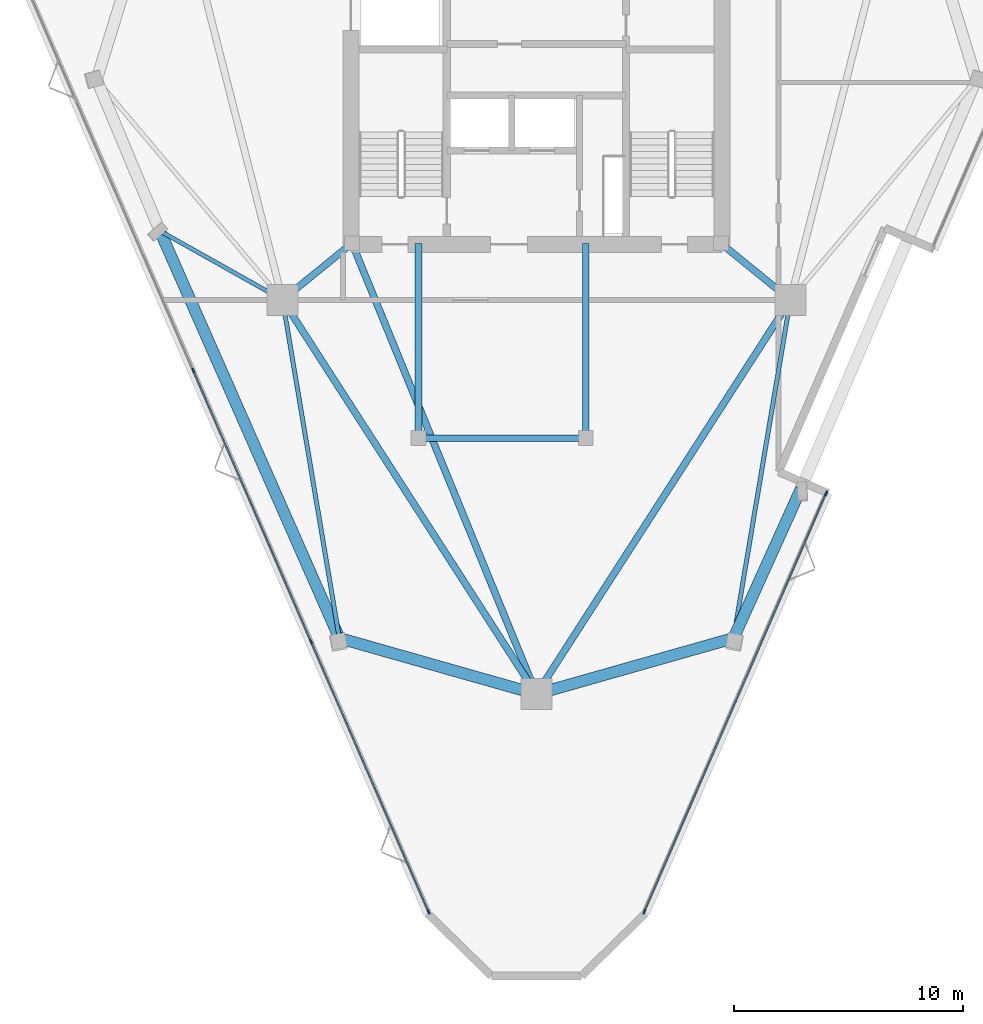
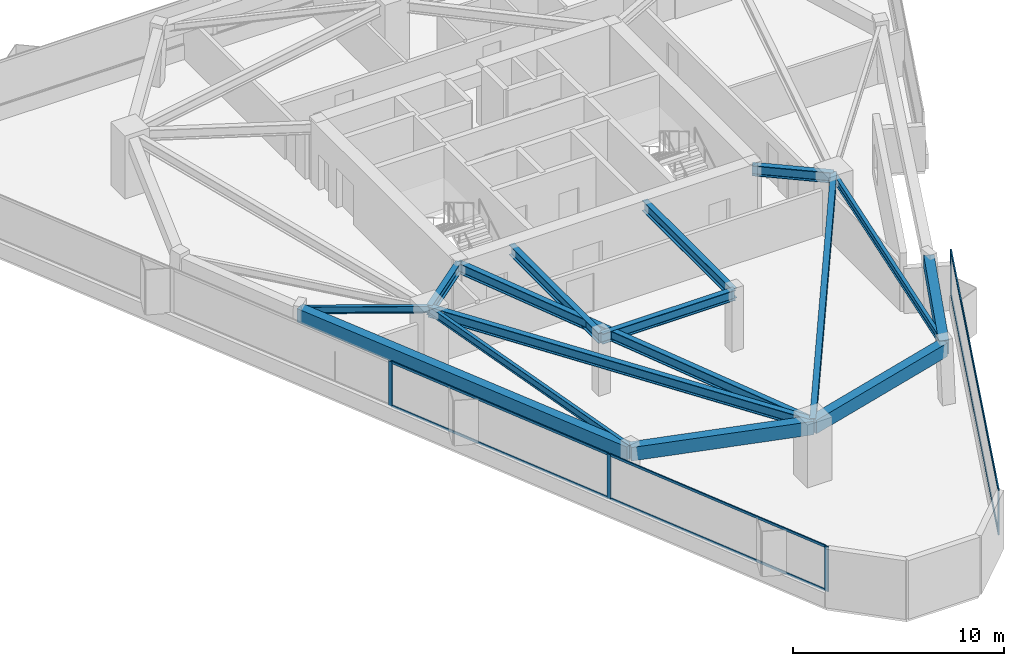
# One storey, part 2 of 10: 15 beams, 11 members, 2 elements without a shape of their own.
"""IFC4 building model written with IfcOpenShell, lengths in metres."""

from ifc_helpers import new_model, si_unit, direction, frame, origin, origin_2d, place, context, subcontext, project, spatial, rectangle, i_section, extrude, material, layer, layer_set, material_profile, profile_set, type_object, element, aggregate, save


model = new_model("IFC4")

# Units and contexts
model_context = context("Model", 3, precision=1e-05, world=origin(), true_north=direction((0.0, 1.0)))
body_context = subcontext(model_context, "Body", "Model", "MODEL_VIEW")
ifc_project = project(units=[si_unit("LENGTHUNIT", "METRE"), si_unit("AREAUNIT", "SQUARE_METRE"), si_unit("VOLUMEUNIT", "CUBIC_METRE"), si_unit("PLANEANGLEUNIT", "RADIAN"), si_unit("MASSUNIT", "GRAM", prefix="KILO")], contexts=[model_context])

# Site, building, storey
site_placement = place(None, origin())
site = spatial("IfcSite", under=ifc_project, at=site_placement, CompositionType="ELEMENT")
building_placement = place(site_placement, origin())
building = spatial("IfcBuilding", under=site, at=building_placement, Name="Talyreon Biosciences Tower", CompositionType="ELEMENT")
storey_placement = place(building_placement, frame((0.0, 0.0, 204.949951171875)))
storey = spatial("IfcBuildingStorey", under=building, at=storey_placement, Name="L54", CompositionType="ELEMENT", Elevation=204.949951171875)

# Curtain wall, members
ifc_material_1 = material(Name="Thermally broken aluminium and low-E glazing", Category="aluminium")
ifc_layer = layer(ifc_material_1, 0.205078125)
ifc_layer_set = layer_set([ifc_layer], Name="Thermally broken aluminium and low-E glazing")
curtain_wall_type = type_object("IfcCurtainWallType", Name="CurtainWall_SkyGardenLoggia", PredefinedType="NOTDEFINED", material=ifc_layer_set)
curtain_wall_1_placement = place(storey_placement, origin())
curtain_wall_1 = element("IfcCurtainWall", 1, at=curtain_wall_1_placement, inside=storey, type_object=curtain_wall_type, Name="L54 Unitised Curtain Wall FCW-L54-11", PredefinedType="NOTDEFINED")
ifc_material_2 = material(Name="Anodised thermally broken aluminium", Category="aluminium")
ifc_material_profile_1 = material_profile(ifc_material_2, rectangle(XDim=0.074951171875, YDim=0.2099609375, at=origin_2d()), Name="ALUM MULLION 75x210")
ifc_profile_set_1 = profile_set([ifc_material_profile_1], Name="Anodised thermally broken aluminium")
member_type_1 = type_object("IfcMemberType", Name="CWMullion_75x210", PredefinedType="MULLION", material=ifc_profile_set_1)
member_1_placement = place(storey_placement, frame((78.6513671875, 50.433349609375, 0.81005859375), z_axis=(0.0, 0.0, 1.0), x_axis=(0.917113940349, -0.3986251628, 0.0)))
member_1 = element("IfcMember", 2, at=member_1_placement, type_object=member_type_1, Name="CW7 mullion 1", PredefinedType="MULLION", context=body_context, shape_type="SweptSolid", body=[
    extrude(rectangle(XDim=0.074951171875, YDim=0.2099609375, at=origin_2d()), origin(), (0.0, 0.0, 1.0), 2.590087890625),
])
member_2_placement = place(storey_placement, frame((70.71044921875, 32.164306640625, 0.81005859375), z_axis=(0.0, 0.0, 1.0), x_axis=(0.917113940349, -0.3986251628, 0.0)))
member_2 = element("IfcMember", 3, at=member_2_placement, type_object=member_type_1, Name="CW7 mullion 2", PredefinedType="MULLION", context=body_context, shape_type="SweptSolid", body=[
    extrude(rectangle(XDim=0.074951171875, YDim=0.2099609375, at=origin_2d()), origin(), (0.0, 0.0, 1.0), 2.590087890625),
])

curtain_wall_2_placement = place(storey_placement, origin())
curtain_wall_2 = element("IfcCurtainWall", 4, at=curtain_wall_2_placement, inside=storey, type_object=curtain_wall_type, Name="L54 Unitised Curtain Wall FCW-L54-15", PredefinedType="NOTDEFINED")
member_3_placement = place(storey_placement, frame((61.28955078125, 32.164306640625, 0.81005859375), z_axis=(0.0, 0.0, 1.0), x_axis=(-0.917113439943, -0.398626314079, 0.0)))
member_3 = element("IfcMember", 5, at=member_3_placement, type_object=member_type_1, Name="CW7 mullion 1", PredefinedType="MULLION", context=body_context, shape_type="SweptSolid", body=[
    extrude(rectangle(XDim=0.074951171875, YDim=0.2099609375, at=origin_2d()), origin(), (0.0, 0.0, 1.0), 2.590087890625),
])
member_4_placement = place(storey_placement, frame((56.1630859375, 43.95849609375, 0.81005859375), z_axis=(0.0, 0.0, 1.0), x_axis=(-0.917113439943, -0.398626314079, 0.0)))
member_4 = element("IfcMember", 6, at=member_4_placement, type_object=member_type_1, Name="CW7 mullion 2", PredefinedType="MULLION", context=body_context, shape_type="SweptSolid", body=[
    extrude(rectangle(XDim=0.074951171875, YDim=0.2099609375, at=origin_2d()), origin(), (0.0, 0.0, 1.0), 2.590087890625),
])
member_5_placement = place(storey_placement, frame((51.021728515625, 55.787109375, 0.81005859375), z_axis=(0.0, 0.0, 1.0), x_axis=(-0.917113439943, -0.398626314079, 0.0)))
member_5 = element("IfcMember", 7, at=member_5_placement, type_object=member_type_1, Name="CW7 mullion 3", PredefinedType="MULLION", context=body_context, shape_type="SweptSolid", body=[
    extrude(rectangle(XDim=0.074951171875, YDim=0.2099609375, at=origin_2d()), origin(), (0.0, 0.0, 1.0), 2.590087890625),
])

# Member
ifc_material_profile_2 = material_profile(ifc_material_2, rectangle(XDim=0.06494140625, YDim=0.139892578125, at=origin_2d()), Name="ALUM TRANSOM 65x140")
ifc_profile_set_2 = profile_set([ifc_material_profile_2], Name="Anodised thermally broken aluminium")
member_type_2 = type_object("IfcMemberType", Name="CWTransom_65x140", PredefinedType="USERDEFINED", material=ifc_profile_set_2)
member_6_placement = place(storey_placement, frame((78.63623046875, 50.39892578125, 0.842529296875), z_axis=(-0.39861634699, -0.917117772106, 0.0), x_axis=(0.917117772106, -0.39861634699, 0.0)))
member_6 = element("IfcMember", 8, at=member_6_placement, type_object=member_type_2, Name="CW7 transom 1.1", ObjectType="TRANSOM", PredefinedType="USERDEFINED", context=body_context, shape_type="SweptSolid", body=[
    extrude(rectangle(XDim=0.06494140625, YDim=0.139892578125, at=origin_2d()), origin(), (0.0, 0.0, 1.0), 19.84521484375),
])

member_7_placement = place(storey_placement, frame((78.63623046875, 50.39892578125, 3.367431640625), z_axis=(-0.39861634699, -0.917117772106, 0.0), x_axis=(0.917117772106, -0.39861634699, 0.0)))
member_7 = element("IfcMember", 9, at=member_7_placement, type_object=member_type_2, Name="CW7 transom 1.2", ObjectType="TRANSOM", PredefinedType="USERDEFINED", context=body_context, shape_type="SweptSolid", body=[
    extrude(rectangle(XDim=0.06494140625, YDim=0.139892578125, at=origin_2d()), origin(), (0.0, 0.0, 1.0), 19.84521484375),
])

aggregate(curtain_wall_1, [member_1, member_2, member_6, member_7])

member_8_placement = place(storey_placement, frame((61.2744140625, 32.198486328125, 0.842529296875), z_axis=(-0.398617880751, 0.91711710547, 0.0), x_axis=(-0.91711710547, -0.398617880751, 0.0)))
member_8 = element("IfcMember", 10, at=member_8_placement, type_object=member_type_2, Name="CW7 transom 1.1", ObjectType="TRANSOM", PredefinedType="USERDEFINED", context=body_context, shape_type="SweptSolid", body=[
    extrude(rectangle(XDim=0.06494140625, YDim=0.139892578125, at=origin_2d()), origin(), (0.0, 0.0, 1.0), 12.78515625),
])

member_9_placement = place(storey_placement, frame((61.2744140625, 32.198486328125, 3.367431640625), z_axis=(-0.398617880751, 0.91711710547, 0.0), x_axis=(-0.91711710547, -0.398617880751, 0.0)))
member_9 = element("IfcMember", 11, at=member_9_placement, type_object=member_type_2, Name="CW7 transom 1.2", ObjectType="TRANSOM", PredefinedType="USERDEFINED", context=body_context, shape_type="SweptSolid", body=[
    extrude(rectangle(XDim=0.06494140625, YDim=0.139892578125, at=origin_2d()), origin(), (0.0, 0.0, 1.0), 12.78515625),
])

member_10_placement = place(storey_placement, frame((56.148193359375, 43.992919921875, 0.842529296875), z_axis=(-0.398636298553, 0.917109100095, 0.0), x_axis=(-0.917109100095, -0.398636298553, 0.0)))
member_10 = element("IfcMember", 12, at=member_10_placement, type_object=member_type_2, Name="CW7 transom 2.1", ObjectType="TRANSOM", PredefinedType="USERDEFINED", context=body_context, shape_type="SweptSolid", body=[
    extrude(rectangle(XDim=0.06494140625, YDim=0.139892578125, at=origin_2d()), origin(), (0.0, 0.0, 1.0), 12.82275390625),
])

member_11_placement = place(storey_placement, frame((56.148193359375, 43.992919921875, 3.367431640625), z_axis=(-0.398636298553, 0.917109100095, 0.0), x_axis=(-0.917109100095, -0.398636298553, 0.0)))
member_11 = element("IfcMember", 13, at=member_11_placement, type_object=member_type_2, Name="CW7 transom 2.2", ObjectType="TRANSOM", PredefinedType="USERDEFINED", context=body_context, shape_type="SweptSolid", body=[
    extrude(rectangle(XDim=0.06494140625, YDim=0.139892578125, at=origin_2d()), origin(), (0.0, 0.0, 1.0), 12.82275390625),
])

aggregate(curtain_wall_2, [member_3, member_4, member_5, member_8, member_9, member_10, member_11])

# Beams
ifc_material_3 = material(Name="Precast concrete C45/55", Category="concrete")
ifc_material_profile_3 = material_profile(ifc_material_3, rectangle(XDim=0.5, YDim=0.780029296875, at=origin_2d()), Name="RCB 500x780")
ifc_profile_set_3 = profile_set([ifc_material_profile_3], Name="Precast concrete C45/55")
beam_type_1 = type_object("IfcBeamType", Name="ExpressedSpandrel_500x780", PredefinedType="SPANDREL", material=ifc_profile_set_3)
beam_1_placement = place(storey_placement, frame((66.0, 41.6669921875, 3.010009765625), z_axis=(0.961957367208, 0.27319960409, 0.0), x_axis=(-0.27319960409, 0.961957367208, 0.0)))
element("IfcBeam", 14, at=beam_1_placement, inside=storey, type_object=beam_type_1, Name="L54 Expressed Horizontal Concrete Spandrel 01", PredefinedType="SPANDREL", context=body_context, shape_type="SweptSolid", body=[
    extrude(rectangle(XDim=0.5, YDim=0.780029296875, at=origin_2d()), origin(), (0.0, 0.0, 1.0), 8.9453125),
])
beam_2_placement = place(storey_placement, frame((74.60498046875, 44.11083984375, 3.010009765625), z_axis=(0.411308909392, 0.911496012638, 0.0), x_axis=(-0.911496012638, 0.411308909392, 0.0)))
element("IfcBeam", 15, at=beam_2_placement, inside=storey, type_object=beam_type_1, Name="L54 Expressed Horizontal Concrete Spandrel 02", PredefinedType="SPANDREL", context=body_context, shape_type="SweptSolid", body=[
    extrude(rectangle(XDim=0.5, YDim=0.780029296875, at=origin_2d()), origin(), (0.0, 0.0, 1.0), 7.158447265625),
])
beam_3_placement = place(storey_placement, frame((49.56005859375, 61.889892578125, 3.010009765625), z_axis=(0.403263669668, -0.915083828251, 0.0), x_axis=(0.915083828251, 0.403263669668, 0.0)))
element("IfcBeam", 16, at=beam_3_placement, inside=storey, type_object=beam_type_1, Name="L54 Expressed Horizontal Concrete Spandrel 11", PredefinedType="SPANDREL", context=body_context, shape_type="SweptSolid", body=[
    extrude(rectangle(XDim=0.5, YDim=0.780029296875, at=origin_2d()), origin(), (0.0, 0.0, 1.0), 19.428955078125),
])
beam_4_placement = place(storey_placement, frame((57.39501953125, 44.11083984375, 3.010009765625), z_axis=(0.961957367208, -0.27319960409, 0.0), x_axis=(0.27319960409, 0.961957367208, 0.0)))
element("IfcBeam", 17, at=beam_4_placement, inside=storey, type_object=beam_type_1, Name="L54 Expressed Horizontal Concrete Spandrel 12", PredefinedType="SPANDREL", context=body_context, shape_type="SweptSolid", body=[
    extrude(rectangle(XDim=0.5, YDim=0.780029296875, at=origin_2d()), origin(), (0.0, 0.0, 1.0), 8.9453125),
])
ifc_material_4 = material(Name="Steel SM355", Category="steel")
ifc_material_profile_4 = material_profile(ifc_material_4, i_section(OverallWidth=0.300048828125, OverallDepth=0.60009765625, WebThickness=0.015380859375, FlangeThickness=0.030029296875, FilletRadius=0.027099609375, at=origin_2d()), Name="HE600B")
ifc_profile_set_4 = profile_set([ifc_material_profile_4], Name="Steel SM355")
beam_type_2 = type_object("IfcBeamType", Name="SteelBeam_HE600B", PredefinedType="BEAM", material=ifc_profile_set_4)
for number, where, z_axis, x_axis, name in (
    (18, (66.0, 41.6669921875, 3.10009765625), (0.541463723609, 0.840724114092, 0.0), (-0.840724114092, 0.541463723609, 0.0), "L54 Mega-Ring Girder 1"),
    (19, (54.913818359375, 58.88037109375, 3.10009765625), (0.541463723609, -0.840724114092, 0.0), (0.840724114092, 0.541463723609, 0.0), "L54 Mega-Ring Girder 6"),
):
    element("IfcBeam", number, at=place(storey_placement, frame(where, z_axis=z_axis, x_axis=x_axis)), inside=storey, type_object=beam_type_2, Name=name, PredefinedType="BEAM", context=body_context, shape_type="SweptSolid", body=[
        extrude(i_section(OverallWidth=0.300048828125, OverallDepth=0.60009765625, WebThickness=0.015380859375, FlangeThickness=0.030029296875, FilletRadius=0.027099609375, at=origin_2d()), origin(), (0.0, 0.0, 1.0), 20.474365234375),
    ])
beam_5_placement = place(storey_placement, frame((57.949951171875, 61.35009765625, 3.10009765625), z_axis=(0.378547014545, -0.925582064314, 0.0), x_axis=(0.925582064314, 0.378547014545, 0.0)))
element("IfcBeam", 20, at=beam_5_placement, inside=storey, type_object=beam_type_2, Name="L54 Radial Primary Girder 1", PredefinedType="BEAM", context=body_context, shape_type="SweptSolid", body=[
    extrude(i_section(OverallWidth=0.300048828125, OverallDepth=0.60009765625, WebThickness=0.015380859375, FlangeThickness=0.030029296875, FilletRadius=0.027099609375, at=origin_2d()), origin(), (0.0, 0.0, 1.0), 21.265625),
])
for number, where, z_axis, x_axis, name in (
    (21, (74.050048828125, 61.35009765625, 3.10009765625), (0.775755154013, -0.631034025249, 0.0), (0.631034025249, 0.775755154013, 0.0), "L54 Radial Primary Girder 2"),
    (22, (57.949951171875, 61.35009765625, 3.10009765625), (-0.775755154013, -0.631034025249, 0.0), (0.631034025249, -0.775755154013, 0.0), "L54 Radial Primary Girder 6"),
):
    element("IfcBeam", number, at=place(storey_placement, frame(where, z_axis=z_axis, x_axis=x_axis)), inside=storey, type_object=beam_type_2, Name=name, PredefinedType="BEAM", context=body_context, shape_type="SweptSolid", body=[
        extrude(i_section(OverallWidth=0.300048828125, OverallDepth=0.60009765625, WebThickness=0.015380859375, FlangeThickness=0.030029296875, FilletRadius=0.027099609375, at=origin_2d()), origin(), (0.0, 0.0, 1.0), 3.913818359375),
    ])
beam_6_placement = place(storey_placement, frame((60.85009765625, 52.840087890625, 3.10009765625), z_axis=(1.0, 0.0, 0.0), x_axis=(0.0, 1.0, 0.0)))
element("IfcBeam", 23, at=beam_6_placement, inside=storey, type_object=beam_type_2, Name="L54 Crown Shaft Spine Girder S", PredefinedType="BEAM", context=body_context, shape_type="SweptSolid", body=[
    extrude(i_section(OverallWidth=0.300048828125, OverallDepth=0.60009765625, WebThickness=0.015380859375, FlangeThickness=0.030029296875, FilletRadius=0.027099609375, at=origin_2d()), origin(), (0.0, 0.0, 1.0), 7.2998046875),
])
for number, where, z_axis, x_axis, name in (
    (24, (60.85009765625, 52.840087890625, 3.10009765625), (0.0, 1.0, 0.0), (-1.0, 0.0, 0.0), "L54 Crown Shaft Tie Girder W"),
    (25, (68.14990234375, 52.840087890625, 3.10009765625), (0.0, 1.0, 0.0), (-1.0, 0.0, 0.0), "L54 Crown Shaft Tie Girder E"),
):
    element("IfcBeam", number, at=place(storey_placement, frame(where, z_axis=z_axis, x_axis=x_axis)), inside=storey, type_object=beam_type_2, Name=name, PredefinedType="BEAM", context=body_context, shape_type="SweptSolid", body=[
        extrude(i_section(OverallWidth=0.300048828125, OverallDepth=0.60009765625, WebThickness=0.015380859375, FlangeThickness=0.030029296875, FilletRadius=0.027099609375, at=origin_2d()), origin(), (0.0, 0.0, 1.0), 8.510009765625),
    ])
ifc_material_profile_5 = material_profile(ifc_material_4, i_section(OverallWidth=0.179931640625, OverallDepth=0.39990234375, WebThickness=0.008544921875, FlangeThickness=0.013427734375, FilletRadius=0.02099609375, at=origin_2d()), Name="IPE400")
ifc_profile_set_5 = profile_set([ifc_material_profile_5], Name="Steel SM355")
beam_type_3 = type_object("IfcBeamType", Name="SteelJoist_IPE400", PredefinedType="JOIST", material=ifc_profile_set_5)
beam_7_placement = place(storey_placement, frame((54.913818359375, 58.88037109375, 3.199951171875), z_axis=(-0.87171245145, 0.490017756807, 0.0), x_axis=(-0.490017756807, -0.87171245145, 0.0)))
element("IfcBeam", 26, at=beam_7_placement, inside=storey, type_object=beam_type_3, Name="L54 Radial Composite Floor Joist PL-SW", PredefinedType="JOIST", context=body_context, shape_type="SweptSolid", body=[
    extrude(i_section(OverallWidth=0.179931640625, OverallDepth=0.39990234375, WebThickness=0.008544921875, FlangeThickness=0.013427734375, FilletRadius=0.02099609375, at=origin_2d()), origin(), (0.0, 0.0, 1.0), 6.1416015625),
])
ifc_material_profile_6 = material_profile(ifc_material_4, i_section(OverallWidth=0.18994140625, OverallDepth=0.449951171875, WebThickness=0.009521484375, FlangeThickness=0.0146484375, FilletRadius=0.02099609375, at=origin_2d()), Name="IPE450")
ifc_profile_set_6 = profile_set([ifc_material_profile_6], Name="Steel SM355")
beam_type_4 = type_object("IfcBeamType", Name="SteelJoist_IPE450", PredefinedType="JOIST", material=ifc_profile_set_6)
for number, where, z_axis, x_axis, name in (
    (27, (77.086181640625, 58.88037109375, 3.175048828125), (-0.165673017347, -0.986180739684, 0.0), (0.986180739684, -0.165673017347, 0.0), "L54 Radial Composite Floor Joist PC-SE1"),
    (28, (54.913818359375, 58.88037109375, 3.175048828125), (0.165673017347, -0.986180739684, 0.0), (0.986180739684, 0.165673017347, 0.0), "L54 Radial Composite Floor Joist PC-SW2"),
):
    element("IfcBeam", number, at=place(storey_placement, frame(where, z_axis=z_axis, x_axis=x_axis)), inside=storey, type_object=beam_type_4, Name=name, PredefinedType="JOIST", context=body_context, shape_type="SweptSolid", body=[
        extrude(i_section(OverallWidth=0.18994140625, OverallDepth=0.449951171875, WebThickness=0.009521484375, FlangeThickness=0.0146484375, FilletRadius=0.02099609375, at=origin_2d()), origin(), (0.0, 0.0, 1.0), 14.9765625),
    ])

save(model, "model.ifc")
